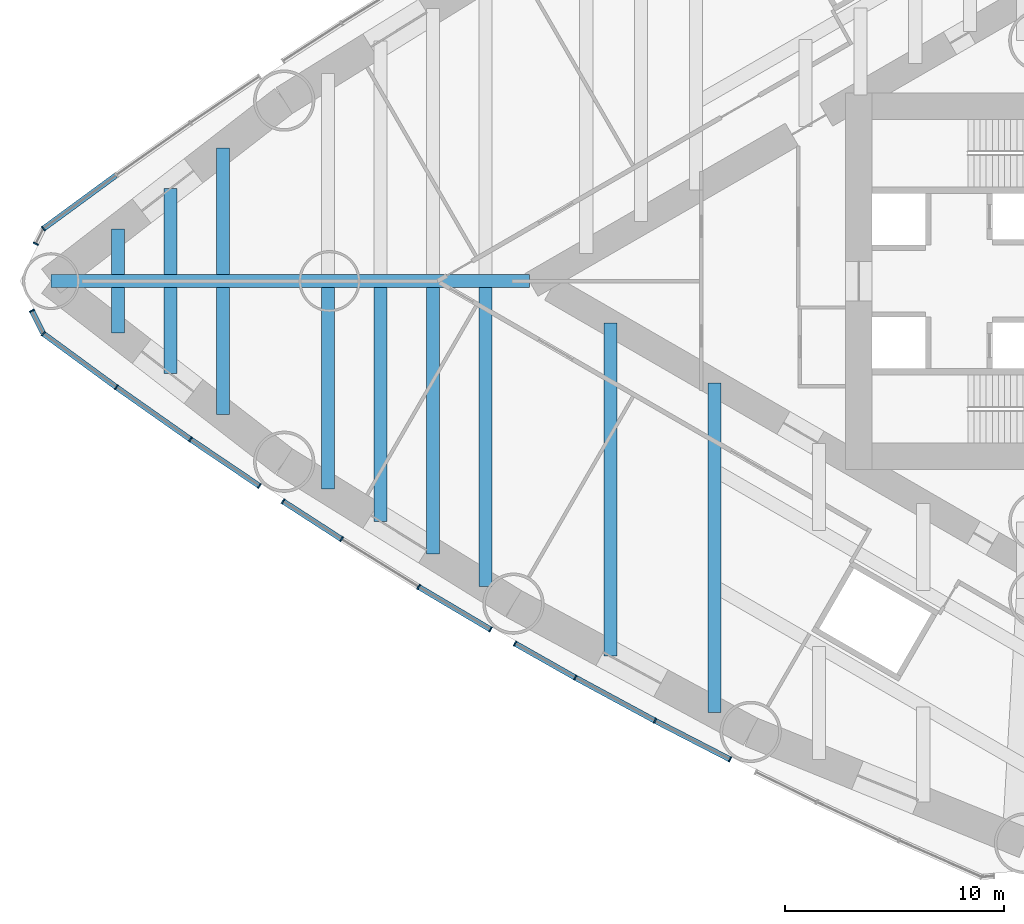
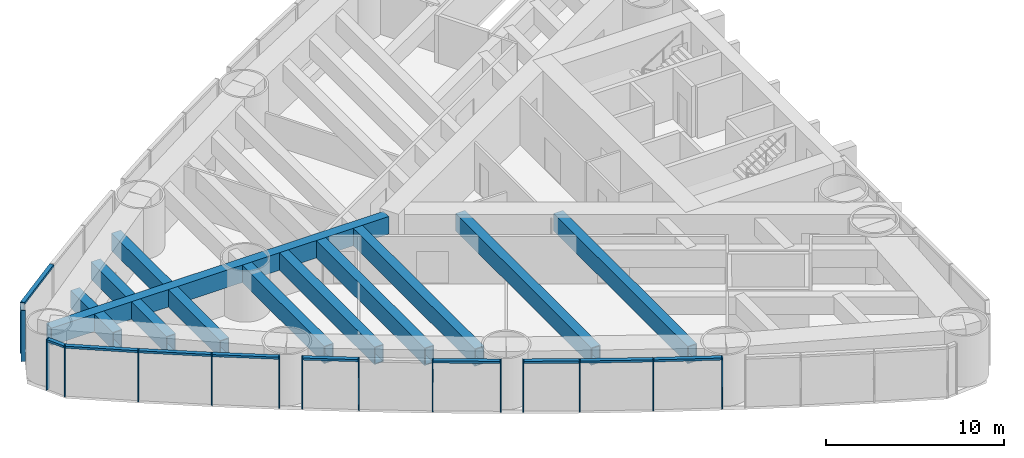
# One storey, part 2 of 20: 25 members, 13 beams, 4 elements without a shape of their own.
"""IFC4 building model written with IfcOpenShell, lengths in metres."""

from ifc_helpers import new_model, si_unit, direction, frame, origin, origin_2d, place, context, subcontext, project, spatial, rectangle, hollow_rectangle, extrude, material, material_profile, profile_set, type_object, element, aggregate, save


model = new_model("IFC4")

# Units and contexts
model_context = context("Model", 3, precision=1e-05, world=origin(), true_north=direction((0.0, 1.0)))
body_context = subcontext(model_context, "Body", "Model", "MODEL_VIEW")
ifc_project = project(units=[si_unit("LENGTHUNIT", "METRE"), si_unit("AREAUNIT", "SQUARE_METRE"), si_unit("VOLUMEUNIT", "CUBIC_METRE"), si_unit("PLANEANGLEUNIT", "RADIAN"), si_unit("MASSUNIT", "GRAM", prefix="KILO")], contexts=[model_context])

# Site, building, storey
site_placement = place(None, origin())
site = spatial("IfcSite", under=ifc_project, at=site_placement, CompositionType="ELEMENT")
building_placement = place(site_placement, origin())
building = spatial("IfcBuilding", under=site, at=building_placement, Name="Lancet Gate Hotel", CompositionType="ELEMENT")
storey_placement = place(building_placement, frame((0.0, 0.0, 77.5)))
storey = spatial("IfcBuildingStorey", under=building, at=storey_placement, Name="L20", CompositionType="ELEMENT", Elevation=77.5)

# Curtain wall, members
ifc_material_1 = material(Name="Aluminium curtain wall", Category="aluminium")
curtain_wall_type = type_object("IfcCurtainWallType", Name="Tower unitised curtain wall", PredefinedType="USERDEFINED", material=ifc_material_1)
curtain_wall_1_placement = place(storey_placement, origin())
curtain_wall_1 = element("IfcCurtainWall", 1, at=curtain_wall_1_placement, inside=storey, type_object=curtain_wall_type, Name="T1 L20 curtain wall 5", ObjectType="UNITISED CURTAIN WALL", PredefinedType="USERDEFINED")
ifc_material_2 = material(Name="Aluminium mullion", Category="aluminium")
ifc_material_profile_1 = material_profile(ifc_material_2, rectangle(XDim=0.06494140625, YDim=0.25, at=origin_2d()), Name="MULLION 65x250")
ifc_profile_set_1 = profile_set([ifc_material_profile_1], Name="Aluminium mullion")
member_type_1 = type_object("IfcMemberType", Name="Aluminium mullion 65x250", PredefinedType="MULLION", material=ifc_profile_set_1)
member_1_placement = place(storey_placement, frame((-74.5830078125, 2.401611328125, 0.0), z_axis=(0.0, 0.0, 1.0), x_axis=(-0.76102176567, -0.64872634614, 0.0)))
member_1 = element("IfcMember", 2, at=member_1_placement, type_object=member_type_1, Name="T1 L20 curtain wall 5 mullion 4", PredefinedType="MULLION", context=body_context, shape_type="SweptSolid", body=[
    extrude(rectangle(XDim=0.06494140625, YDim=0.25, at=origin_2d()), origin(), (0.0, 0.0, 1.0), 3.5),
])
member_2_placement = place(storey_placement, frame((-74.93017578125, 1.708251953125, 0.0), z_axis=(0.0, 0.0, 1.0), x_axis=(-0.447628324726, -0.89421970617, 0.0)))
member_2 = element("IfcMember", 3, at=member_2_placement, type_object=member_type_1, Name="T1 L20 curtain wall 5 mullion 5", PredefinedType="MULLION", context=body_context, shape_type="SweptSolid", body=[
    extrude(rectangle(XDim=0.06494140625, YDim=0.25, at=origin_2d()), origin(), (0.0, 0.0, 1.0), 3.5),
])

curtain_wall_2_placement = place(storey_placement, origin())
curtain_wall_2 = element("IfcCurtainWall", 4, at=curtain_wall_2_placement, inside=storey, type_object=curtain_wall_type, Name="T1 L20 curtain wall 6", ObjectType="UNITISED CURTAIN WALL", PredefinedType="USERDEFINED")
member_3_placement = place(storey_placement, frame((-75.109375, -1.349853515625, 0.0), z_axis=(0.0, 0.0, 1.0), x_axis=(0.447628324726, -0.89421970617, 0.0)))
member_3 = element("IfcMember", 5, at=member_3_placement, type_object=member_type_1, Name="T1 L20 curtain wall 6 mullion 1", PredefinedType="MULLION", context=body_context, shape_type="SweptSolid", body=[
    extrude(rectangle(XDim=0.06494140625, YDim=0.25, at=origin_2d()), origin(), (0.0, 0.0, 1.0), 3.5),
])
member_4_placement = place(storey_placement, frame((-74.5830078125, -2.401611328125, 0.0), z_axis=(0.0, 0.0, 1.0), x_axis=(0.741231716249, -0.671249240466, 0.0)))
member_4 = element("IfcMember", 6, at=member_4_placement, type_object=member_type_1, Name="T1 L20 curtain wall 6 mullion 2", PredefinedType="MULLION", context=body_context, shape_type="SweptSolid", body=[
    extrude(rectangle(XDim=0.06494140625, YDim=0.25, at=origin_2d()), origin(), (0.0, 0.0, 1.0), 3.5),
])
member_5_placement = place(storey_placement, frame((-71.244384765625, -4.85009765625, 0.0), z_axis=(0.0, 0.0, 1.0), x_axis=(0.812146623168, -0.583453393578, 0.0)))
member_5 = element("IfcMember", 7, at=member_5_placement, type_object=member_type_1, Name="T1 L20 curtain wall 6 mullion 3", PredefinedType="MULLION", context=body_context, shape_type="SweptSolid", body=[
    extrude(rectangle(XDim=0.06494140625, YDim=0.25, at=origin_2d()), origin(), (0.0, 0.0, 1.0), 3.5),
])
member_6_placement = place(storey_placement, frame((-67.858154296875, -7.232666015625, 0.0), z_axis=(0.0, 0.0, 1.0), x_axis=(0.823190540814, -0.567765209848, 0.0)))
member_6 = element("IfcMember", 8, at=member_6_placement, type_object=member_type_1, Name="T1 L20 curtain wall 6 mullion 4", PredefinedType="MULLION", context=body_context, shape_type="SweptSolid", body=[
    extrude(rectangle(XDim=0.06494140625, YDim=0.25, at=origin_2d()), origin(), (0.0, 0.0, 1.0), 3.5),
])
member_7_placement = place(storey_placement, frame((-64.7041015625, -9.361083984375, 0.0), z_axis=(0.0, 0.0, 1.0), x_axis=(0.828946067803, -0.559328540907, 0.0)))
member_7 = element("IfcMember", 9, at=member_7_placement, type_object=member_type_1, Name="T1 L20 curtain wall 6 mullion 5", PredefinedType="MULLION", context=body_context, shape_type="SweptSolid", body=[
    extrude(rectangle(XDim=0.06494140625, YDim=0.25, at=origin_2d()), origin(), (0.0, 0.0, 1.0), 3.5),
])

curtain_wall_3_placement = place(storey_placement, origin())
curtain_wall_3 = element("IfcCurtainWall", 10, at=curtain_wall_3_placement, inside=storey, type_object=curtain_wall_type, Name="T1 L20 curtain wall 7", ObjectType="UNITISED CURTAIN WALL", PredefinedType="USERDEFINED")
member_8_placement = place(storey_placement, frame((-63.62646484375, -10.065673828125, 0.0), z_axis=(0.0, 0.0, 1.0), x_axis=(0.839748568448, -0.54297545229, 0.0)))
member_8 = element("IfcMember", 11, at=member_8_placement, type_object=member_type_1, Name="T1 L20 curtain wall 7 mullion 1", PredefinedType="MULLION", context=body_context, shape_type="SweptSolid", body=[
    extrude(rectangle(XDim=0.06494140625, YDim=0.25, at=origin_2d()), origin(), (0.0, 0.0, 1.0), 3.5),
])
member_9_placement = place(storey_placement, frame((-60.949462890625, -11.796630859375, 0.0), z_axis=(0.0, 0.0, 1.0), x_axis=(0.845709326915, -0.533643827256, 0.0)))
member_9 = element("IfcMember", 12, at=member_9_placement, type_object=member_type_1, Name="T1 L20 curtain wall 7 mullion 2", PredefinedType="MULLION", context=body_context, shape_type="SweptSolid", body=[
    extrude(rectangle(XDim=0.06494140625, YDim=0.25, at=origin_2d()), origin(), (0.0, 0.0, 1.0), 3.5),
])
member_10_placement = place(storey_placement, frame((-57.42919921875, -13.97607421875, 0.0), z_axis=(0.0, 0.0, 1.0), x_axis=(0.855144689417, -0.51838939048, 0.0)))
member_10 = element("IfcMember", 13, at=member_10_placement, type_object=member_type_1, Name="T1 L20 curtain wall 7 mullion 3", PredefinedType="MULLION", context=body_context, shape_type="SweptSolid", body=[
    extrude(rectangle(XDim=0.06494140625, YDim=0.25, at=origin_2d()), origin(), (0.0, 0.0, 1.0), 3.5),
])
member_11_placement = place(storey_placement, frame((-54.138916015625, -15.925048828125, 0.0), z_axis=(0.0, 0.0, 1.0), x_axis=(0.860381857795, -0.509649937484, 0.0)))
member_11 = element("IfcMember", 14, at=member_11_placement, type_object=member_type_1, Name="T1 L20 curtain wall 7 mullion 4", PredefinedType="MULLION", context=body_context, shape_type="SweptSolid", body=[
    extrude(rectangle(XDim=0.06494140625, YDim=0.25, at=origin_2d()), origin(), (0.0, 0.0, 1.0), 3.5),
])

curtain_wall_4_placement = place(storey_placement, origin())
curtain_wall_4 = element("IfcCurtainWall", 15, at=curtain_wall_4_placement, inside=storey, type_object=curtain_wall_type, Name="T1 L20 curtain wall 8", ObjectType="UNITISED CURTAIN WALL", PredefinedType="USERDEFINED")
member_12_placement = place(storey_placement, frame((-53.0166015625, -16.567626953125, 0.0), z_axis=(0.0, 0.0, 1.0), x_axis=(0.870204720871, -0.492690312238, 0.0)))
member_12 = element("IfcMember", 16, at=member_12_placement, type_object=member_type_1, Name="T1 L20 curtain wall 8 mullion 1", PredefinedType="MULLION", context=body_context, shape_type="SweptSolid", body=[
    extrude(rectangle(XDim=0.06494140625, YDim=0.25, at=origin_2d()), origin(), (0.0, 0.0, 1.0), 3.5),
])
member_13_placement = place(storey_placement, frame((-50.26416015625, -18.1259765625, 0.0), z_axis=(0.0, 0.0, 1.0), x_axis=(0.875625106041, -0.482991380534, 0.0)))
member_13 = element("IfcMember", 17, at=member_13_placement, type_object=member_type_1, Name="T1 L20 curtain wall 8 mullion 2", PredefinedType="MULLION", context=body_context, shape_type="SweptSolid", body=[
    extrude(rectangle(XDim=0.06494140625, YDim=0.25, at=origin_2d()), origin(), (0.0, 0.0, 1.0), 3.5),
])
member_14_placement = place(storey_placement, frame((-46.6220703125, -20.094970703125, 0.0), z_axis=(0.0, 0.0, 1.0), x_axis=(0.884152609717, -0.467198204974, 0.0)))
member_14 = element("IfcMember", 18, at=member_14_placement, type_object=member_type_1, Name="T1 L20 curtain wall 8 mullion 3", PredefinedType="MULLION", context=body_context, shape_type="SweptSolid", body=[
    extrude(rectangle(XDim=0.06494140625, YDim=0.25, at=origin_2d()), origin(), (0.0, 0.0, 1.0), 3.5),
])
member_15_placement = place(storey_placement, frame((-43.188232421875, -21.864990234375, 0.0), z_axis=(0.0, 0.0, 1.0), x_axis=(0.888844019644, -0.458209895946, 0.0)))
member_15 = element("IfcMember", 19, at=member_15_placement, type_object=member_type_1, Name="T1 L20 curtain wall 8 mullion 4", PredefinedType="MULLION", context=body_context, shape_type="SweptSolid", body=[
    extrude(rectangle(XDim=0.06494140625, YDim=0.25, at=origin_2d()), origin(), (0.0, 0.0, 1.0), 3.5),
])

# Member
ifc_material_3 = material(Name="Aluminium transom", Category="aluminium")
ifc_material_profile_2 = material_profile(ifc_material_3, rectangle(XDim=0.25, YDim=0.14990234375, at=origin_2d()), Name="TRANSOM 250x150")
ifc_profile_set_2 = profile_set([ifc_material_profile_2], Name="Aluminium transom")
member_type_2 = type_object("IfcMemberType", Name="Aluminium transom 250x150", PredefinedType="USERDEFINED", material=ifc_profile_set_2)
member_16_placement = place(storey_placement, frame((-71.2705078125, 4.8310546875, 3.425048828125), z_axis=(-0.806366902144, -0.59141560609, 0.0), x_axis=(0.59141560609, -0.806366902144, 0.0)))
member_16 = element("IfcMember", 20, at=member_16_placement, type_object=member_type_2, Name="T1 L20 curtain wall 5 transom 3", ObjectType="TRANSOM", PredefinedType="USERDEFINED", context=body_context, shape_type="SweptSolid", body=[
    extrude(rectangle(XDim=0.25, YDim=0.14990234375, at=origin_2d()), origin(), (0.0, 0.0, 1.0), 4.0751953125),
])

aggregate(curtain_wall_1, [member_1, member_2, member_16])

member_17_placement = place(storey_placement, frame((-75.094970703125, -1.37890625, 3.425048828125), z_axis=(0.447740788594, -0.894163400185, 0.0), x_axis=(0.894163400185, 0.447740788594, 0.0)))
member_17 = element("IfcMember", 21, at=member_17_placement, type_object=member_type_2, Name="T1 L20 curtain wall 6 transom 1", ObjectType="TRANSOM", PredefinedType="USERDEFINED", context=body_context, shape_type="SweptSolid", body=[
    extrude(rectangle(XDim=0.25, YDim=0.14990234375, at=origin_2d()), origin(), (0.0, 0.0, 1.0), 1.111328125),
])

member_18_placement = place(storey_placement, frame((-74.556640625, -2.4208984375, 3.425048828125), z_axis=(0.806366902144, -0.59141560609, 0.0), x_axis=(0.59141560609, 0.806366902144, 0.0)))
member_18 = element("IfcMember", 22, at=member_18_placement, type_object=member_type_2, Name="T1 L20 curtain wall 6 transom 2", ObjectType="TRANSOM", PredefinedType="USERDEFINED", context=body_context, shape_type="SweptSolid", body=[
    extrude(rectangle(XDim=0.25, YDim=0.14990234375, at=origin_2d()), origin(), (0.0, 0.0, 1.0), 4.0751953125),
])

member_19_placement = place(storey_placement, frame((-71.2177734375, -4.868896484375, 3.425048828125), z_axis=(0.817833568345, -0.57545482402, 0.0), x_axis=(0.57545482402, 0.817833568345, 0.0)))
member_19 = element("IfcMember", 23, at=member_19_placement, type_object=member_type_2, Name="T1 L20 curtain wall 6 transom 3", ObjectType="TRANSOM", PredefinedType="USERDEFINED", context=body_context, shape_type="SweptSolid", body=[
    extrude(rectangle(XDim=0.25, YDim=0.14990234375, at=origin_2d()), origin(), (0.0, 0.0, 1.0), 4.075439453125),
])

member_20_placement = place(storey_placement, frame((-67.831298828125, -7.2509765625, 3.425048828125), z_axis=(0.828934175642, -0.559346165137, 0.0), x_axis=(0.559346165137, 0.828934175642, 0.0)))
member_20 = element("IfcMember", 24, at=member_20_placement, type_object=member_type_2, Name="T1 L20 curtain wall 6 transom 4", ObjectType="TRANSOM", PredefinedType="USERDEFINED", context=body_context, shape_type="SweptSolid", body=[
    extrude(rectangle(XDim=0.25, YDim=0.14990234375, at=origin_2d()), origin(), (0.0, 0.0, 1.0), 3.740234375),
])

aggregate(curtain_wall_2, [member_3, member_4, member_5, member_6, member_7, member_17, member_18, member_19, member_20])

member_21_placement = place(storey_placement, frame((-63.599365234375, -10.083251953125, 3.425048828125), z_axis=(0.839737903766, -0.542991945593, 0.0), x_axis=(0.542991945593, 0.839737903766, 0.0)))
member_21 = element("IfcMember", 25, at=member_21_placement, type_object=member_type_2, Name="T1 L20 curtain wall 7 transom 1", ObjectType="TRANSOM", PredefinedType="USERDEFINED", context=body_context, shape_type="SweptSolid", body=[
    extrude(rectangle(XDim=0.25, YDim=0.14990234375, at=origin_2d()), origin(), (0.0, 0.0, 1.0), 3.123046875),
])

member_22_placement = place(storey_placement, frame((-57.4013671875, -13.99267578125, 3.425048828125), z_axis=(0.860395955611, -0.509626137053, 0.0), x_axis=(0.509626137053, 0.860395955611, 0.0)))
member_22 = element("IfcMember", 26, at=member_22_placement, type_object=member_type_2, Name="T1 L20 curtain wall 7 transom 3", ObjectType="TRANSOM", PredefinedType="USERDEFINED", context=body_context, shape_type="SweptSolid", body=[
    extrude(rectangle(XDim=0.25, YDim=0.14990234375, at=origin_2d()), origin(), (0.0, 0.0, 1.0), 3.75927734375),
])

aggregate(curtain_wall_3, [member_8, member_9, member_10, member_11, member_21, member_22])

member_23_placement = place(storey_placement, frame((-52.98828125, -16.583740234375, 3.425048828125), z_axis=(0.870195654923, -0.49270632445, 0.0), x_axis=(0.49270632445, 0.870195654923, 0.0)))
member_23 = element("IfcMember", 27, at=member_23_placement, type_object=member_type_2, Name="T1 L20 curtain wall 8 transom 1", ObjectType="TRANSOM", PredefinedType="USERDEFINED", context=body_context, shape_type="SweptSolid", body=[
    extrude(rectangle(XDim=0.25, YDim=0.14990234375, at=origin_2d()), origin(), (0.0, 0.0, 1.0), 3.097900390625),
])

member_24_placement = place(storey_placement, frame((-50.235595703125, -18.1416015625, 3.425048828125), z_axis=(0.87971396408, -0.475503250675, 0.0), x_axis=(0.475503250675, 0.87971396408, 0.0)))
member_24 = element("IfcMember", 28, at=member_24_placement, type_object=member_type_2, Name="T1 L20 curtain wall 8 transom 2", ObjectType="TRANSOM", PredefinedType="USERDEFINED", context=body_context, shape_type="SweptSolid", body=[
    extrude(rectangle(XDim=0.25, YDim=0.14990234375, at=origin_2d()), origin(), (0.0, 0.0, 1.0), 4.0751953125),
])

member_25_placement = place(storey_placement, frame((-46.593017578125, -20.10986328125, 3.425048828125), z_axis=(0.888843667926, -0.458210578215, 0.0), x_axis=(0.458210578215, 0.888843667926, 0.0)))
member_25 = element("IfcMember", 29, at=member_25_placement, type_object=member_type_2, Name="T1 L20 curtain wall 8 transom 3", ObjectType="TRANSOM", PredefinedType="USERDEFINED", context=body_context, shape_type="SweptSolid", body=[
    extrude(rectangle(XDim=0.25, YDim=0.14990234375, at=origin_2d()), origin(), (0.0, 0.0, 1.0), 3.7978515625),
])

aggregate(curtain_wall_4, [member_12, member_13, member_14, member_15, member_23, member_24, member_25])

# Beams
ifc_material_4 = material(Name="Steel S460QL", Category="steel")
ifc_material_profile_3 = material_profile(ifc_material_4, hollow_rectangle(XDim=0.60009765625, YDim=1.199951171875, WallThickness=0.050048828125, at=origin_2d()), Name="BOX 1200x600x50")
ifc_profile_set_3 = profile_set([ifc_material_profile_3], Name="Steel S460QL")
beam_type_1 = type_object("IfcBeamType", Name="Refuge floor beam BOX 1200x600x50", PredefinedType="BEAM", material=ifc_profile_set_3)
beam_1_placement = place(storey_placement, frame((-43.891357421875, -4.663330078125, 2.64990234375), z_axis=(0.0, -1.0, 0.0), x_axis=(1.0, 0.0, 0.0)))
element("IfcBeam", 30, at=beam_1_placement, inside=storey, type_object=beam_type_1, Name="T1 floor beam F08N L20", PredefinedType="BEAM", context=body_context, shape_type="SweptSolid", body=[
    extrude(hollow_rectangle(XDim=0.60009765625, YDim=1.199951171875, WallThickness=0.050048828125, at=origin_2d()), origin(), (0.0, 0.0, 1.0), 15.05419921875),
])
beam_2_placement = place(storey_placement, frame((-48.66015625, -1.909912109375, 2.64990234375), z_axis=(0.0, -1.0, 0.0), x_axis=(1.0, 0.0, 0.0)))
element("IfcBeam", 31, at=beam_2_placement, inside=storey, type_object=beam_type_1, Name="T1 floor beam F11N L20", PredefinedType="BEAM", context=body_context, shape_type="SweptSolid", body=[
    extrude(hollow_rectangle(XDim=0.60009765625, YDim=1.199951171875, WallThickness=0.050048828125, at=origin_2d()), origin(), (0.0, 0.0, 1.0), 15.229736328125),
])
beam_3_placement = place(storey_placement, frame((-54.3681640625, -0.300048828125, 2.64990234375), z_axis=(0.0, -1.0, 0.0), x_axis=(1.0, 0.0, 0.0)))
element("IfcBeam", 32, at=beam_3_placement, inside=storey, type_object=beam_type_1, Name="T1 floor beam F14N L20", PredefinedType="BEAM", context=body_context, shape_type="SweptSolid", body=[
    extrude(hollow_rectangle(XDim=0.60009765625, YDim=1.199951171875, WallThickness=0.050048828125, at=origin_2d()), origin(), (0.0, 0.0, 1.0), 13.653564453125),
])
beam_4_placement = place(storey_placement, frame((-56.768310546875, -0.300048828125, 2.64990234375), z_axis=(0.0, -1.0, 0.0), x_axis=(1.0, 0.0, 0.0)))
element("IfcBeam", 33, at=beam_4_placement, inside=storey, type_object=beam_type_1, Name="T1 floor beam F16N L20", PredefinedType="BEAM", context=body_context, shape_type="SweptSolid", body=[
    extrude(hollow_rectangle(XDim=0.60009765625, YDim=1.199951171875, WallThickness=0.050048828125, at=origin_2d()), origin(), (0.0, 0.0, 1.0), 12.16748046875),
])
beam_5_placement = place(storey_placement, frame((-59.168212890625, -0.300048828125, 2.64990234375), z_axis=(0.0, -1.0, 0.0), x_axis=(1.0, 0.0, 0.0)))
element("IfcBeam", 34, at=beam_5_placement, inside=storey, type_object=beam_type_1, Name="T1 floor beam F18N L20", PredefinedType="BEAM", context=body_context, shape_type="SweptSolid", body=[
    extrude(hollow_rectangle(XDim=0.60009765625, YDim=1.199951171875, WallThickness=0.050048828125, at=origin_2d()), origin(), (0.0, 0.0, 1.0), 10.681640625),
])
beam_6_placement = place(storey_placement, frame((-61.568359375, -0.300048828125, 2.64990234375), z_axis=(0.0, -1.0, 0.0), x_axis=(1.0, 0.0, 0.0)))
element("IfcBeam", 35, at=beam_6_placement, inside=storey, type_object=beam_type_1, Name="T1 floor beam F20N L20", PredefinedType="BEAM", context=body_context, shape_type="SweptSolid", body=[
    extrude(hollow_rectangle(XDim=0.60009765625, YDim=1.199951171875, WallThickness=0.050048828125, at=origin_2d()), origin(), (0.0, 0.0, 1.0), 9.19580078125),
])
for number, where, z_axis, x_axis, name in (
    (36, (-66.3681640625, 6.09033203125, 2.64990234375), (0.0, -1.0, 0.0), (1.0, 0.0, 0.0), "T1 floor beam F21S L20"),
    (37, (-66.3681640625, -0.300048828125, 2.64990234375), (0.0, -1.0, 0.0), (1.0, 0.0, 0.0), "T1 floor beam F22N L20"),
):
    element("IfcBeam", number, at=place(storey_placement, frame(where, z_axis=z_axis, x_axis=x_axis)), inside=storey, type_object=beam_type_1, Name=name, PredefinedType="BEAM", context=body_context, shape_type="SweptSolid", body=[
        extrude(hollow_rectangle(XDim=0.60009765625, YDim=1.199951171875, WallThickness=0.050048828125, at=origin_2d()), origin(), (0.0, 0.0, 1.0), 5.790283203125),
    ])
for number, where, z_axis, x_axis, name in (
    (38, (-68.768310546875, 4.232421875, 2.64990234375), (0.0, -1.0, 0.0), (1.0, 0.0, 0.0), "T1 floor beam F23S L20"),
    (39, (-68.768310546875, -0.300048828125, 2.64990234375), (0.0, -1.0, 0.0), (1.0, 0.0, 0.0), "T1 floor beam F24N L20"),
):
    element("IfcBeam", number, at=place(storey_placement, frame(where, z_axis=z_axis, x_axis=x_axis)), inside=storey, type_object=beam_type_1, Name=name, PredefinedType="BEAM", context=body_context, shape_type="SweptSolid", body=[
        extrude(hollow_rectangle(XDim=0.60009765625, YDim=1.199951171875, WallThickness=0.050048828125, at=origin_2d()), origin(), (0.0, 0.0, 1.0), 3.932373046875),
    ])
for number, where, z_axis, x_axis, name in (
    (40, (-71.168212890625, 2.374267578125, 2.64990234375), (0.0, -1.0, 0.0), (1.0, 0.0, 0.0), "T1 floor beam F25S L20"),
    (41, (-71.168212890625, -0.300048828125, 2.64990234375), (0.0, -1.0, 0.0), (1.0, 0.0, 0.0), "T1 floor beam F26N L20"),
):
    element("IfcBeam", number, at=place(storey_placement, frame(where, z_axis=z_axis, x_axis=x_axis)), inside=storey, type_object=beam_type_1, Name=name, PredefinedType="BEAM", context=body_context, shape_type="SweptSolid", body=[
        extrude(hollow_rectangle(XDim=0.60009765625, YDim=1.199951171875, WallThickness=0.050048828125, at=origin_2d()), origin(), (0.0, 0.0, 1.0), 2.07421875),
    ])
ifc_material_5 = material(Name="Steel S460QL", Category="steel")
ifc_material_profile_4 = material_profile(ifc_material_5, hollow_rectangle(XDim=0.60009765625, YDim=1.199951171875, WallThickness=0.06005859375, at=origin_2d()), Name="BOX 1200x600x60")
ifc_profile_set_4 = profile_set([ifc_material_profile_4], Name="Steel S460QL")
beam_type_2 = type_object("IfcBeamType", Name="Refuge floor beam BOX 1200x600x60", PredefinedType="BEAM", material=ifc_profile_set_4)
beam_7_placement = place(storey_placement, frame((-74.235107421875, 0.0, 2.64990234375), z_axis=(1.0, 0.0, 0.0), x_axis=(0.0, 1.0, 0.0)))
element("IfcBeam", 42, at=beam_7_placement, inside=storey, type_object=beam_type_2, Name="T1 radial beam CA L20", PredefinedType="BEAM", context=body_context, shape_type="SweptSolid", body=[
    extrude(hollow_rectangle(XDim=0.60009765625, YDim=1.199951171875, WallThickness=0.06005859375, at=origin_2d()), origin(), (0.0, 0.0, 1.0), 21.866943359375),
])

save(model, "model.ifc")
